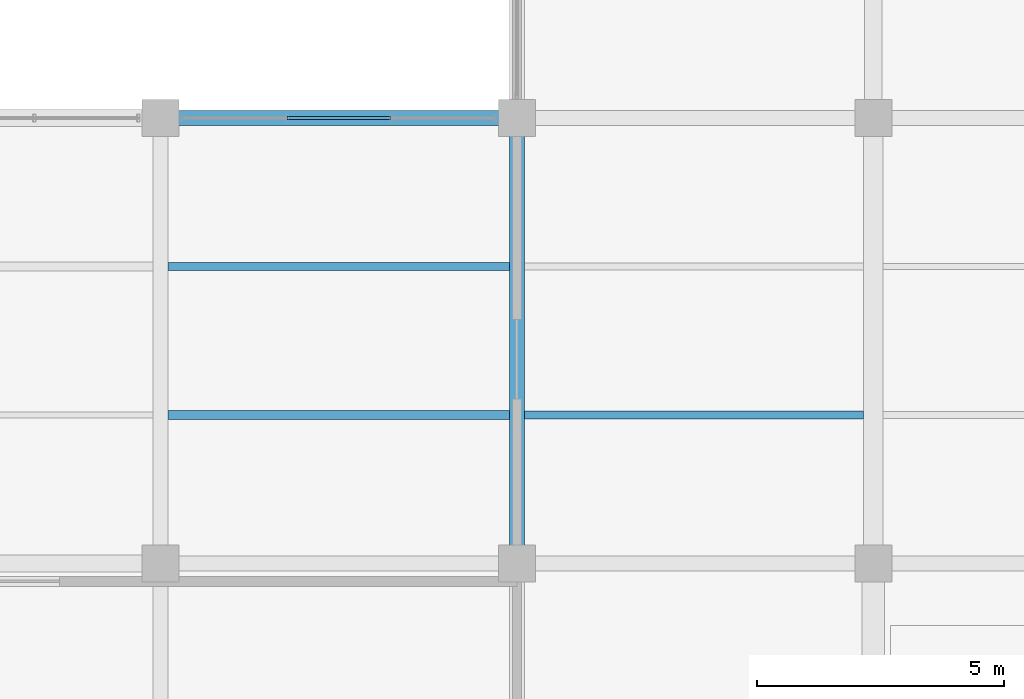
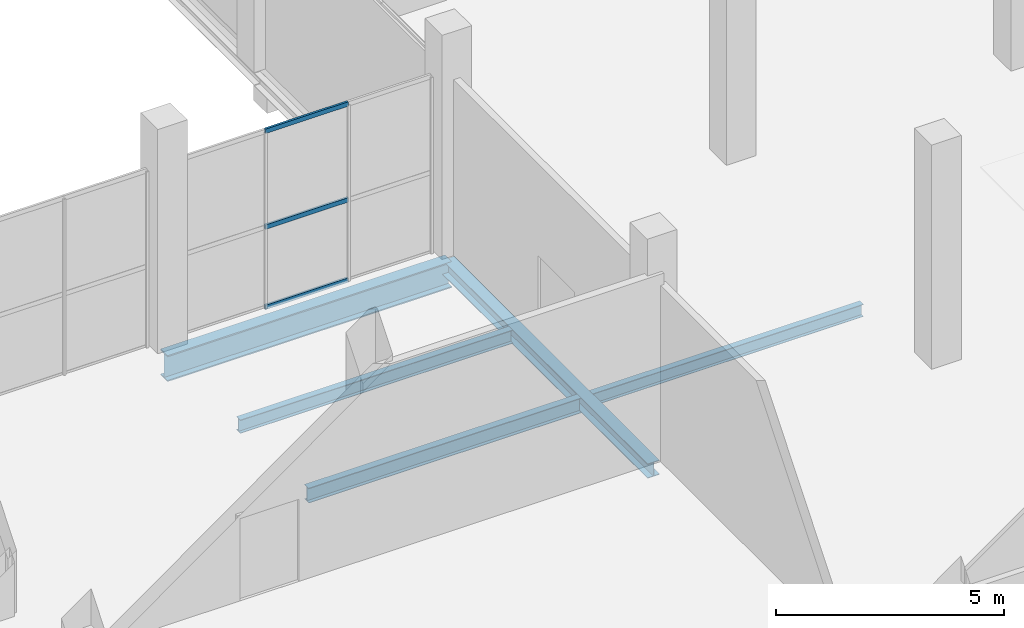
# One storey, part 104 of 144: 5 beams, 3 members, 1 element without a shape of its own.
"""IFC4 building model written with IfcOpenShell, lengths in metres."""

from ifc_helpers import new_model, si_unit, direction, frame, origin, origin_2d, place, context, subcontext, project, spatial, hollow_rectangle, i_section, extrude, material, layer, layer_set, material_profile, profile_set, type_object, element, aggregate, save


model = new_model("IFC4")

# Units and contexts
model_context = context("Model", 3, precision=1e-05, world=origin(), true_north=direction((0.0, 1.0)))
body_context = subcontext(model_context, "Body", "Model", "MODEL_VIEW")
ifc_project = project(units=[si_unit("LENGTHUNIT", "METRE"), si_unit("AREAUNIT", "SQUARE_METRE"), si_unit("VOLUMEUNIT", "CUBIC_METRE"), si_unit("PLANEANGLEUNIT", "RADIAN"), si_unit("MASSUNIT", "GRAM", prefix="KILO")], contexts=[model_context])

# Site, building, storey
site_placement = place(None, origin())
site = spatial("IfcSite", under=ifc_project, at=site_placement, CompositionType="ELEMENT")
building_placement = place(site_placement, origin())
building = spatial("IfcBuilding", under=site, at=building_placement, Name="Sundgate Opera House", CompositionType="ELEMENT")
storey_placement = place(building_placement, origin())
storey = spatial("IfcBuildingStorey", under=building, at=storey_placement, Name="L00", CompositionType="ELEMENT", Elevation=0.0)

# Beams
ifc_material_1 = material(Name="Steel S355J2", Category="steel")
ifc_material_profile_1 = material_profile(ifc_material_1, i_section(OverallWidth=0.300048828125, OverallDepth=0.389892578125, WebThickness=0.010986328125, FlangeThickness=0.01904296875, at=origin_2d()), Name="HEA 400")
ifc_profile_set_1 = profile_set([ifc_material_profile_1], Name="Steel S355J2")
beam_type_1 = type_object("IfcBeamType", Name="BM-GR-HEA400", PredefinedType="BEAM", material=ifc_profile_set_1)
beam_1_placement = place(storey_placement, frame((153.0, 78.0, -0.514892578125), z_axis=(0.0, 1.0, 0.0), x_axis=(-1.0, 0.0, 0.0)))
element("IfcBeam", 1, at=beam_1_placement, inside=storey, type_object=beam_type_1, Name="L00 Primary N-S Girder B0290", PredefinedType="BEAM", context=body_context, shape_type="SweptSolid", body=[
    extrude(i_section(OverallWidth=0.300048828125, OverallDepth=0.389892578125, WebThickness=0.010986328125, FlangeThickness=0.01904296875, at=origin_2d()), origin(), (0.0, 0.0, 1.0), 9.0),
])
ifc_material_2 = material(Name="Steel S355J2", Category="steel")
ifc_material_profile_2 = material_profile(ifc_material_2, i_section(OverallWidth=0.300048828125, OverallDepth=0.699951171875, WebThickness=0.01708984375, FlangeThickness=0.031982421875, at=origin_2d()), Name="HEB 700")
ifc_profile_set_2 = profile_set([ifc_material_profile_2], Name="Steel S355J2")
beam_type_2 = type_object("IfcBeamType", Name="BM-GR-HEB700", PredefinedType="BEAM", material=ifc_profile_set_2)
beam_2_placement = place(storey_placement, frame((145.800048828125, 87.0, -0.669921875), z_axis=(1.0, 0.0, 0.0), x_axis=(0.0, 1.0, 0.0)))
element("IfcBeam", 2, at=beam_2_placement, inside=storey, type_object=beam_type_2, Name="L00 Primary E-W Girder B0520", PredefinedType="BEAM", context=body_context, shape_type="SweptSolid", body=[
    extrude(i_section(OverallWidth=0.300048828125, OverallDepth=0.699951171875, WebThickness=0.01708984375, FlangeThickness=0.031982421875, at=origin_2d()), origin(), (0.0, 0.0, 1.0), 7.199951171875),
])
ifc_material_3 = material(Name="Steel S355J2", Category="steel")
ifc_material_profile_3 = material_profile(ifc_material_3, i_section(OverallWidth=0.159912109375, OverallDepth=0.330078125, WebThickness=0.007568359375, FlangeThickness=0.011474609375, at=origin_2d()), Name="IPE 330")
ifc_profile_set_3 = profile_set([ifc_material_profile_3], Name="Steel S355J2")
beam_type_3 = type_object("IfcBeamType", Name="BM-JS-IPE330", PredefinedType="JOIST", material=ifc_profile_set_3)
beam_3_placement = place(storey_placement, frame((153.14990234375, 81.0, -0.485107421875), z_axis=(1.0, 0.0, 0.0), x_axis=(0.0, 1.0, 0.0)))
element("IfcBeam", 3, at=beam_3_placement, inside=storey, type_object=beam_type_3, Name="L00 Secondary Floor Joist B0913", PredefinedType="JOIST", context=body_context, shape_type="SweptSolid", body=[
    extrude(i_section(OverallWidth=0.159912109375, OverallDepth=0.330078125, WebThickness=0.007568359375, FlangeThickness=0.011474609375, at=origin_2d()), origin(), (0.0, 0.0, 1.0), 6.85009765625),
])
ifc_material_4 = material(Name="Steel S355J2", Category="steel")
ifc_material_profile_4 = material_profile(ifc_material_4, i_section(OverallWidth=0.169921875, OverallDepth=0.360107421875, WebThickness=0.008056640625, FlangeThickness=0.0126953125, at=origin_2d()), Name="IPE 360")
ifc_profile_set_4 = profile_set([ifc_material_profile_4], Name="Steel S355J2")
beam_type_4 = type_object("IfcBeamType", Name="BM-JS-IPE360", PredefinedType="JOIST", material=ifc_profile_set_4)
beam_4_placement = place(storey_placement, frame((145.949951171875, 84.0, -0.5), z_axis=(1.0, 0.0, 0.0), x_axis=(0.0, 1.0, 0.0)))
element("IfcBeam", 4, at=beam_4_placement, inside=storey, type_object=beam_type_4, Name="L00 Secondary Floor Joist B0912", PredefinedType="JOIST", context=body_context, shape_type="SweptSolid", body=[
    extrude(i_section(OverallWidth=0.169921875, OverallDepth=0.360107421875, WebThickness=0.008056640625, FlangeThickness=0.0126953125, at=origin_2d()), origin(), (0.0, 0.0, 1.0), 6.900146484375),
])
ifc_material_5 = material(Name="Steel S355J2", Category="steel")
ifc_material_profile_5 = material_profile(ifc_material_5, i_section(OverallWidth=0.179931640625, OverallDepth=0.39990234375, WebThickness=0.008544921875, FlangeThickness=0.013427734375, at=origin_2d()), Name="IPE 400")
ifc_profile_set_5 = profile_set([ifc_material_profile_5], Name="Steel S355J2")
beam_type_5 = type_object("IfcBeamType", Name="BM-JS-IPE400", PredefinedType="JOIST", material=ifc_profile_set_5)
beam_5_placement = place(storey_placement, frame((145.949951171875, 81.0, -0.52001953125), z_axis=(1.0, 0.0, 0.0), x_axis=(0.0, 1.0, 0.0)))
element("IfcBeam", 5, at=beam_5_placement, inside=storey, type_object=beam_type_5, Name="L00 Secondary Floor Joist B0911", PredefinedType="JOIST", context=body_context, shape_type="SweptSolid", body=[
    extrude(i_section(OverallWidth=0.179931640625, OverallDepth=0.39990234375, WebThickness=0.008544921875, FlangeThickness=0.013427734375, at=origin_2d()), origin(), (0.0, 0.0, 1.0), 6.900146484375),
])

# Curtain wall, members
ifc_material_6 = material(Name="Anodized aluminium and low-iron glass", Category="aluminium")
ifc_layer = layer(ifc_material_6, 0.159912109375)
ifc_layer_set = layer_set([ifc_layer], Name="Anodized aluminium and low-iron glass")
curtain_wall_type = type_object("IfcCurtainWallType", Name="CW-STUDIO-DARK", PredefinedType="NOTDEFINED", material=ifc_layer_set)
curtain_wall_placement = place(storey_placement, origin())
curtain_wall = element("IfcCurtainWall", 6, at=curtain_wall_placement, inside=storey, type_object=curtain_wall_type, Name="L00 Curtain Wall CW086", PredefinedType="NOTDEFINED")
ifc_material_7 = material(Name="Anodized aluminium EN AW-6063", Category="aluminium")
ifc_material_profile_6 = material_profile(ifc_material_7, hollow_rectangle(XDim=0.054931640625, YDim=0.1201171875, WallThickness=0.00390625, at=origin_2d()), Name="CWT 120x55x4")
ifc_profile_set_6 = profile_set([ifc_material_profile_6], Name="Anodized aluminium EN AW-6063")
member_type = type_object("IfcMemberType", Name="CWT-ALU-120x55", PredefinedType="USERDEFINED", material=ifc_profile_set_6)
member_1_placement = place(storey_placement, frame((148.35009765625, 87.0, 0.0), z_axis=(1.0, 0.0, 0.0), x_axis=(0.0, 1.0, 0.0)))
member_1 = element("IfcMember", 7, at=member_1_placement, type_object=member_type, Name="CW086 Transom 4", ObjectType="TRANSOM", PredefinedType="USERDEFINED", context=body_context, shape_type="SweptSolid", body=[
    extrude(hollow_rectangle(XDim=0.054931640625, YDim=0.1201171875, WallThickness=0.00390625, at=origin_2d()), origin(), (0.0, 0.0, 1.0), 2.099853515625),
])
member_2_placement = place(storey_placement, frame((148.35009765625, 87.0, 2.14990234375), z_axis=(1.0, 0.0, 0.0), x_axis=(0.0, 1.0, 0.0)))
member_2 = element("IfcMember", 8, at=member_2_placement, type_object=member_type, Name="CW086 Transom 5", ObjectType="TRANSOM", PredefinedType="USERDEFINED", context=body_context, shape_type="SweptSolid", body=[
    extrude(hollow_rectangle(XDim=0.054931640625, YDim=0.1201171875, WallThickness=0.00390625, at=origin_2d()), origin(), (0.0, 0.0, 1.0), 2.099853515625),
])
member_3_placement = place(storey_placement, frame((148.35009765625, 87.0, 4.715087890625), z_axis=(1.0, 0.0, 0.0), x_axis=(0.0, 1.0, 0.0)))
member_3 = element("IfcMember", 9, at=member_3_placement, type_object=member_type, Name="CW086 Transom 6", ObjectType="TRANSOM", PredefinedType="USERDEFINED", context=body_context, shape_type="SweptSolid", body=[
    extrude(hollow_rectangle(XDim=0.054931640625, YDim=0.1201171875, WallThickness=0.00390625, at=origin_2d()), origin(), (0.0, 0.0, 1.0), 2.099853515625),
])
aggregate(curtain_wall, [member_1, member_2, member_3])

save(model, "model.ifc")
